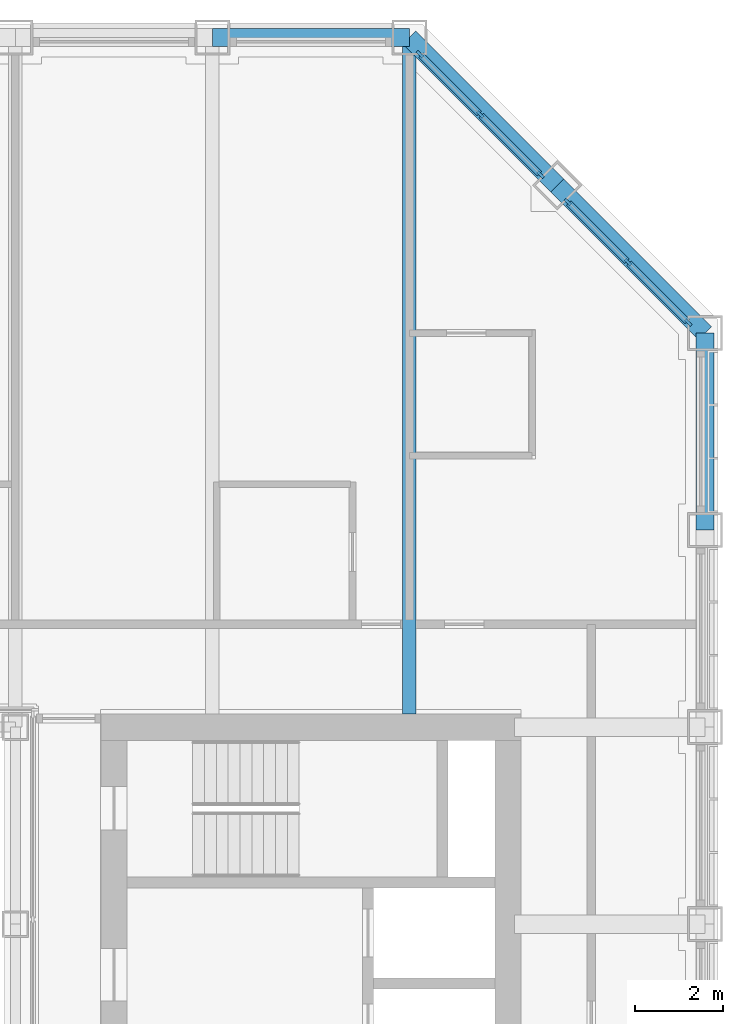
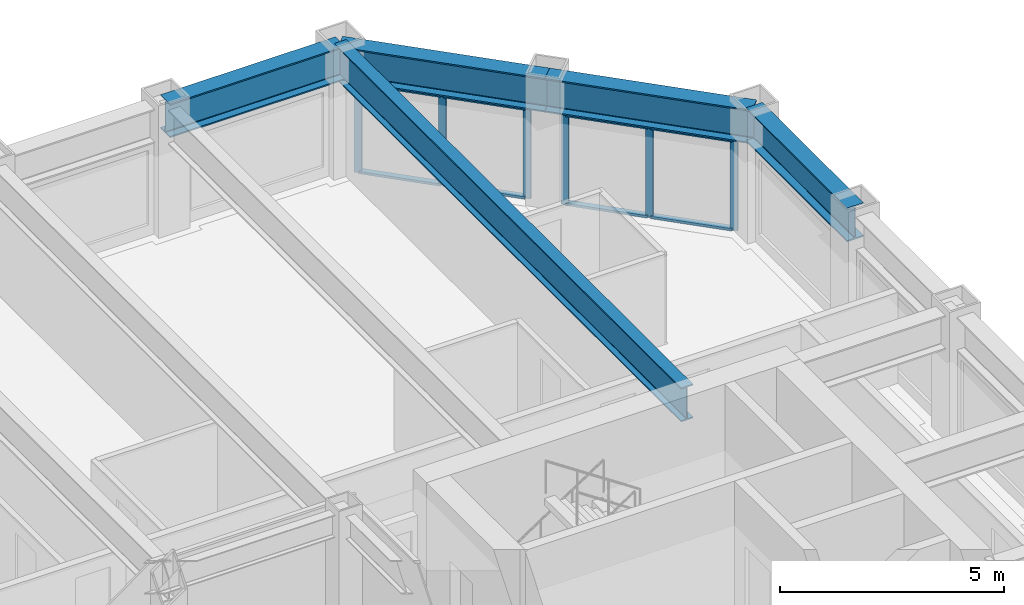
# One storey, part 8 of 17: 14 members, 5 beams, 2 elements without a shape of their own.
"""IFC4 building model written with IfcOpenShell, lengths in metres."""

from ifc_helpers import new_model, si_unit, direction, frame, origin, origin_2d, place, context, subcontext, project, spatial, rectangle, i_section, extrude, material, material_profile, profile_set, type_object, element, aggregate, save


model = new_model("IFC4")

# Units and contexts
model_context = context("Model", 3, precision=1e-05, world=origin(), true_north=direction((0.0, 1.0)))
body_context = subcontext(model_context, "Body", "Model", "MODEL_VIEW")
ifc_project = project(units=[si_unit("LENGTHUNIT", "METRE"), si_unit("AREAUNIT", "SQUARE_METRE"), si_unit("VOLUMEUNIT", "CUBIC_METRE"), si_unit("PLANEANGLEUNIT", "RADIAN"), si_unit("MASSUNIT", "GRAM", prefix="KILO")], contexts=[model_context])

# Site, building, storey
site_placement = place(None, origin())
site = spatial("IfcSite", under=ifc_project, at=site_placement, CompositionType="ELEMENT")
building_placement = place(site_placement, origin())
building = spatial("IfcBuilding", under=site, at=building_placement, Name="Msasa Ring Tower", CompositionType="ELEMENT")
storey_placement = place(building_placement, frame((0.0, 0.0, 140.0)))
storey = spatial("IfcBuildingStorey", under=building, at=storey_placement, Name="L36", CompositionType="ELEMENT", Elevation=140.0)

# Curtain wall, members
ifc_material_1 = material(Name="Aluminium curtain wall with clear glass", Category="aluminium")
curtain_wall_type = type_object("IfcCurtainWallType", Name="CW-C CHAMFER CORNER CURTAIN WALL", PredefinedType="NOTDEFINED", material=ifc_material_1)
curtain_wall_1_placement = place(storey_placement, origin())
curtain_wall_1 = element("IfcCurtainWall", 1, at=curtain_wall_1_placement, inside=storey, type_object=curtain_wall_type, Name="Chamfer corner curtain wall NE L36", PredefinedType="NOTDEFINED")
ifc_material_2 = material(Name="Aluminium mullion", Category="aluminium")
ifc_material_profile_1 = material_profile(ifc_material_2, rectangle(XDim=0.06494140625, YDim=0.179931640625, at=origin_2d()), Name="AL 65x180")
ifc_profile_set_1 = profile_set([ifc_material_profile_1], Name="Aluminium mullion")
member_type_1 = type_object("IfcMemberType", Name="CW-C MULLION 65x180", PredefinedType="MULLION", material=ifc_profile_set_1)
member_1_placement = place(storey_placement, frame((18.744873046875, 19.36376953125, 0.0), z_axis=(0.0, 0.0, 1.0), x_axis=(-0.707106781187, -0.707106781187, 0.0)))
member_1 = element("IfcMember", 2, at=member_1_placement, type_object=member_type_1, Name="CW-C mullion 1", PredefinedType="MULLION", context=body_context, shape_type="SweptSolid", body=[
    extrude(rectangle(XDim=0.06494140625, YDim=0.179931640625, at=origin_2d()), origin(), (0.0, 0.0, 1.0), 2.47900390625),
])
member_2_placement = place(storey_placement, frame((17.36669921875, 20.74169921875, 0.0), z_axis=(0.0, 0.0, 1.0), x_axis=(-0.707106781187, -0.707106781187, 0.0)))
member_2 = element("IfcMember", 3, at=member_2_placement, type_object=member_type_1, Name="CW-C mullion 2", PredefinedType="MULLION", context=body_context, shape_type="SweptSolid", body=[
    extrude(rectangle(XDim=0.06494140625, YDim=0.179931640625, at=origin_2d()), origin(), (0.0, 0.0, 1.0), 2.47900390625),
])
member_3_placement = place(storey_placement, frame((15.98876953125, 22.119873046875, 0.0), z_axis=(0.0, 0.0, 1.0), x_axis=(-0.707106781187, -0.707106781187, 0.0)))
member_3 = element("IfcMember", 4, at=member_3_placement, type_object=member_type_1, Name="CW-C mullion 3", PredefinedType="MULLION", context=body_context, shape_type="SweptSolid", body=[
    extrude(rectangle(XDim=0.06494140625, YDim=0.179931640625, at=origin_2d()), origin(), (0.0, 0.0, 1.0), 2.47900390625),
])

curtain_wall_2_placement = place(storey_placement, origin())
curtain_wall_2 = element("IfcCurtainWall", 5, at=curtain_wall_2_placement, inside=storey, type_object=curtain_wall_type, Name="Chamfer corner curtain wall NE L36", PredefinedType="NOTDEFINED")
member_4_placement = place(storey_placement, frame((22.119873046875, 15.98876953125, 0.0), z_axis=(0.0, 0.0, 1.0), x_axis=(-0.707106781187, -0.707106781187, 0.0)))
member_4 = element("IfcMember", 6, at=member_4_placement, type_object=member_type_1, Name="CW-C mullion 1", PredefinedType="MULLION", context=body_context, shape_type="SweptSolid", body=[
    extrude(rectangle(XDim=0.06494140625, YDim=0.179931640625, at=origin_2d()), origin(), (0.0, 0.0, 1.0), 2.47900390625),
])
member_5_placement = place(storey_placement, frame((20.74169921875, 17.36669921875, 0.0), z_axis=(0.0, 0.0, 1.0), x_axis=(-0.707106781187, -0.707106781187, 0.0)))
member_5 = element("IfcMember", 7, at=member_5_placement, type_object=member_type_1, Name="CW-C mullion 2", PredefinedType="MULLION", context=body_context, shape_type="SweptSolid", body=[
    extrude(rectangle(XDim=0.06494140625, YDim=0.179931640625, at=origin_2d()), origin(), (0.0, 0.0, 1.0), 2.47900390625),
])
member_6_placement = place(storey_placement, frame((19.36376953125, 18.744873046875, 0.0), z_axis=(0.0, 0.0, 1.0), x_axis=(-0.707106781187, -0.707106781187, 0.0)))
member_6 = element("IfcMember", 8, at=member_6_placement, type_object=member_type_1, Name="CW-C mullion 3", PredefinedType="MULLION", context=body_context, shape_type="SweptSolid", body=[
    extrude(rectangle(XDim=0.06494140625, YDim=0.179931640625, at=origin_2d()), origin(), (0.0, 0.0, 1.0), 2.47900390625),
])

# Member
ifc_material_3 = material(Name="Aluminium transom", Category="aluminium")
ifc_material_profile_2 = material_profile(ifc_material_3, rectangle(XDim=0.139892578125, YDim=0.06494140625, at=origin_2d()), Name="AL 65x140")
ifc_profile_set_2 = profile_set([ifc_material_profile_2], Name="Aluminium transom")
member_type_2 = type_object("IfcMemberType", Name="CW-C TRANSOM 65x140", PredefinedType="USERDEFINED", material=ifc_profile_set_2)
member_7_placement = place(storey_placement, frame((18.721923828125, 19.38671875, 0.032470703125), z_axis=(-0.707106781187, 0.707106781187, 0.0), x_axis=(-0.707106781187, -0.707106781187, 0.0)))
member_7 = element("IfcMember", 9, at=member_7_placement, type_object=member_type_2, Name="CW-C transom 1.1", ObjectType="TRANSOM", PredefinedType="USERDEFINED", context=body_context, shape_type="SweptSolid", body=[
    extrude(rectangle(XDim=0.139892578125, YDim=0.06494140625, at=origin_2d()), origin(), (0.0, 0.0, 1.0), 1.8837890625),
])

member_8_placement = place(storey_placement, frame((18.721923828125, 19.38671875, 2.446533203125), z_axis=(-0.707106781187, 0.707106781187, 0.0), x_axis=(-0.707106781187, -0.707106781187, 0.0)))
member_8 = element("IfcMember", 10, at=member_8_placement, type_object=member_type_2, Name="CW-C transom 1.2", ObjectType="TRANSOM", PredefinedType="USERDEFINED", context=body_context, shape_type="SweptSolid", body=[
    extrude(rectangle(XDim=0.139892578125, YDim=0.06494140625, at=origin_2d()), origin(), (0.0, 0.0, 1.0), 1.8837890625),
])

member_9_placement = place(storey_placement, frame((17.34375, 20.764892578125, 0.032470703125), z_axis=(-0.707106781187, 0.707106781187, 0.0), x_axis=(-0.707106781187, -0.707106781187, 0.0)))
member_9 = element("IfcMember", 11, at=member_9_placement, type_object=member_type_2, Name="CW-C transom 2.1", ObjectType="TRANSOM", PredefinedType="USERDEFINED", context=body_context, shape_type="SweptSolid", body=[
    extrude(rectangle(XDim=0.139892578125, YDim=0.06494140625, at=origin_2d()), origin(), (0.0, 0.0, 1.0), 1.8837890625),
])

member_10_placement = place(storey_placement, frame((17.34375, 20.764892578125, 2.446533203125), z_axis=(-0.707106781187, 0.707106781187, 0.0), x_axis=(-0.707106781187, -0.707106781187, 0.0)))
member_10 = element("IfcMember", 12, at=member_10_placement, type_object=member_type_2, Name="CW-C transom 2.2", ObjectType="TRANSOM", PredefinedType="USERDEFINED", context=body_context, shape_type="SweptSolid", body=[
    extrude(rectangle(XDim=0.139892578125, YDim=0.06494140625, at=origin_2d()), origin(), (0.0, 0.0, 1.0), 1.8837890625),
])

aggregate(curtain_wall_1, [member_1, member_2, member_3, member_7, member_8, member_9, member_10])

member_11_placement = place(storey_placement, frame((22.096923828125, 16.01171875, 0.032470703125), z_axis=(-0.707106781187, 0.707106781187, 0.0), x_axis=(-0.707106781187, -0.707106781187, 0.0)))
member_11 = element("IfcMember", 13, at=member_11_placement, type_object=member_type_2, Name="CW-C transom 1.1", ObjectType="TRANSOM", PredefinedType="USERDEFINED", context=body_context, shape_type="SweptSolid", body=[
    extrude(rectangle(XDim=0.139892578125, YDim=0.06494140625, at=origin_2d()), origin(), (0.0, 0.0, 1.0), 1.8837890625),
])

member_12_placement = place(storey_placement, frame((22.096923828125, 16.01171875, 2.446533203125), z_axis=(-0.707106781187, 0.707106781187, 0.0), x_axis=(-0.707106781187, -0.707106781187, 0.0)))
member_12 = element("IfcMember", 14, at=member_12_placement, type_object=member_type_2, Name="CW-C transom 1.2", ObjectType="TRANSOM", PredefinedType="USERDEFINED", context=body_context, shape_type="SweptSolid", body=[
    extrude(rectangle(XDim=0.139892578125, YDim=0.06494140625, at=origin_2d()), origin(), (0.0, 0.0, 1.0), 1.8837890625),
])

member_13_placement = place(storey_placement, frame((20.71875, 17.389892578125, 0.032470703125), z_axis=(-0.707106781187, 0.707106781187, 0.0), x_axis=(-0.707106781187, -0.707106781187, 0.0)))
member_13 = element("IfcMember", 15, at=member_13_placement, type_object=member_type_2, Name="CW-C transom 2.1", ObjectType="TRANSOM", PredefinedType="USERDEFINED", context=body_context, shape_type="SweptSolid", body=[
    extrude(rectangle(XDim=0.139892578125, YDim=0.06494140625, at=origin_2d()), origin(), (0.0, 0.0, 1.0), 1.8837890625),
])

member_14_placement = place(storey_placement, frame((20.71875, 17.389892578125, 2.446533203125), z_axis=(-0.707106781187, 0.707106781187, 0.0), x_axis=(-0.707106781187, -0.707106781187, 0.0)))
member_14 = element("IfcMember", 16, at=member_14_placement, type_object=member_type_2, Name="CW-C transom 2.2", ObjectType="TRANSOM", PredefinedType="USERDEFINED", context=body_context, shape_type="SweptSolid", body=[
    extrude(rectangle(XDim=0.139892578125, YDim=0.06494140625, at=origin_2d()), origin(), (0.0, 0.0, 1.0), 1.8837890625),
])

aggregate(curtain_wall_2, [member_4, member_5, member_6, member_11, member_12, member_13, member_14])

# Beams
ifc_material_4 = material(Name="Steel S355", Category="steel")
ifc_material_profile_3 = material_profile(ifc_material_4, i_section(OverallWidth=0.3076171875, OverallDepth=0.926513671875, WebThickness=0.01953125, FlangeThickness=0.031982421875, FilletRadius=0.01904296875, at=origin_2d()), Name="UB 914x305x289")
ifc_profile_set_3 = profile_set([ifc_material_profile_3], Name="Steel S355")
beam_type_1 = type_object("IfcBeamType", Name="FB3 UB 914x305x289", PredefinedType="BEAM", material=ifc_profile_set_3)
beam_1_placement = place(storey_placement, frame((15.75, 22.5, 2.936767578125), z_axis=(0.0, -1.0, 0.0), x_axis=(1.0, 0.0, 0.0)))
element("IfcBeam", 17, at=beam_1_placement, inside=storey, type_object=beam_type_1, Name="Floor beam N+15.75 under L37", PredefinedType="BEAM", context=body_context, shape_type="SweptSolid", body=[
    extrude(i_section(OverallWidth=0.3076171875, OverallDepth=0.926513671875, WebThickness=0.01953125, FlangeThickness=0.031982421875, FilletRadius=0.01904296875, at=origin_2d()), origin(), (0.0, 0.0, 1.0), 15.449951171875),
])
ifc_material_5 = material(Name="Steel S355", Category="steel")
ifc_material_profile_4 = material_profile(ifc_material_5, i_section(OverallWidth=0.42041015625, OverallDepth=0.9208984375, WebThickness=0.021484375, FlangeThickness=0.03662109375, FilletRadius=0.024169921875, at=origin_2d()), Name="UB 914x419x388")
ifc_profile_set_4 = profile_set([ifc_material_profile_4], Name="Steel S355")
beam_type_2 = type_object("IfcBeamType", Name="SB1 UB 914x419x388", PredefinedType="SPANDREL", material=ifc_profile_set_4)
beam_2_placement = place(storey_placement, frame((22.5, 11.25, 2.939453125), z_axis=(0.0, 1.0, 0.0), x_axis=(-1.0, 0.0, 0.0)))
element("IfcBeam", 18, at=beam_2_placement, inside=storey, type_object=beam_type_2, Name="Spandrel E+11.25 to E+15.75 under L37", PredefinedType="SPANDREL", context=body_context, shape_type="SweptSolid", body=[
    extrude(i_section(OverallWidth=0.42041015625, OverallDepth=0.9208984375, WebThickness=0.021484375, FlangeThickness=0.03662109375, FilletRadius=0.024169921875, at=origin_2d()), origin(), (0.0, 0.0, 1.0), 4.5),
])
for number, where, z_axis, x_axis, name in (
    (19, (22.5, 15.75, 2.939453125), (-0.707106781187, 0.707106781187, 0.0), (-0.707106781187, -0.707106781187, 0.0), "Spandrel E+15.75 to NE under L37"),
    (20, (19.125, 19.125, 2.939453125), (-0.707106781187, 0.707106781187, 0.0), (-0.707106781187, -0.707106781187, 0.0), "Spandrel NE to N+15.75 under L37"),
):
    element("IfcBeam", number, at=place(storey_placement, frame(where, z_axis=z_axis, x_axis=x_axis)), inside=storey, type_object=beam_type_2, Name=name, PredefinedType="SPANDREL", context=body_context, shape_type="SweptSolid", body=[
        extrude(i_section(OverallWidth=0.42041015625, OverallDepth=0.9208984375, WebThickness=0.021484375, FlangeThickness=0.03662109375, FilletRadius=0.024169921875, at=origin_2d()), origin(), (0.0, 0.0, 1.0), 4.77294921875),
    ])
beam_3_placement = place(storey_placement, frame((15.75, 22.5, 2.939453125), z_axis=(-1.0, 0.0, 0.0), x_axis=(0.0, -1.0, 0.0)))
element("IfcBeam", 21, at=beam_3_placement, inside=storey, type_object=beam_type_2, Name="Spandrel N+15.75 to N+11.25 under L37", PredefinedType="SPANDREL", context=body_context, shape_type="SweptSolid", body=[
    extrude(i_section(OverallWidth=0.42041015625, OverallDepth=0.9208984375, WebThickness=0.021484375, FlangeThickness=0.03662109375, FilletRadius=0.024169921875, at=origin_2d()), origin(), (0.0, 0.0, 1.0), 4.5),
])

save(model, "model.ifc")
